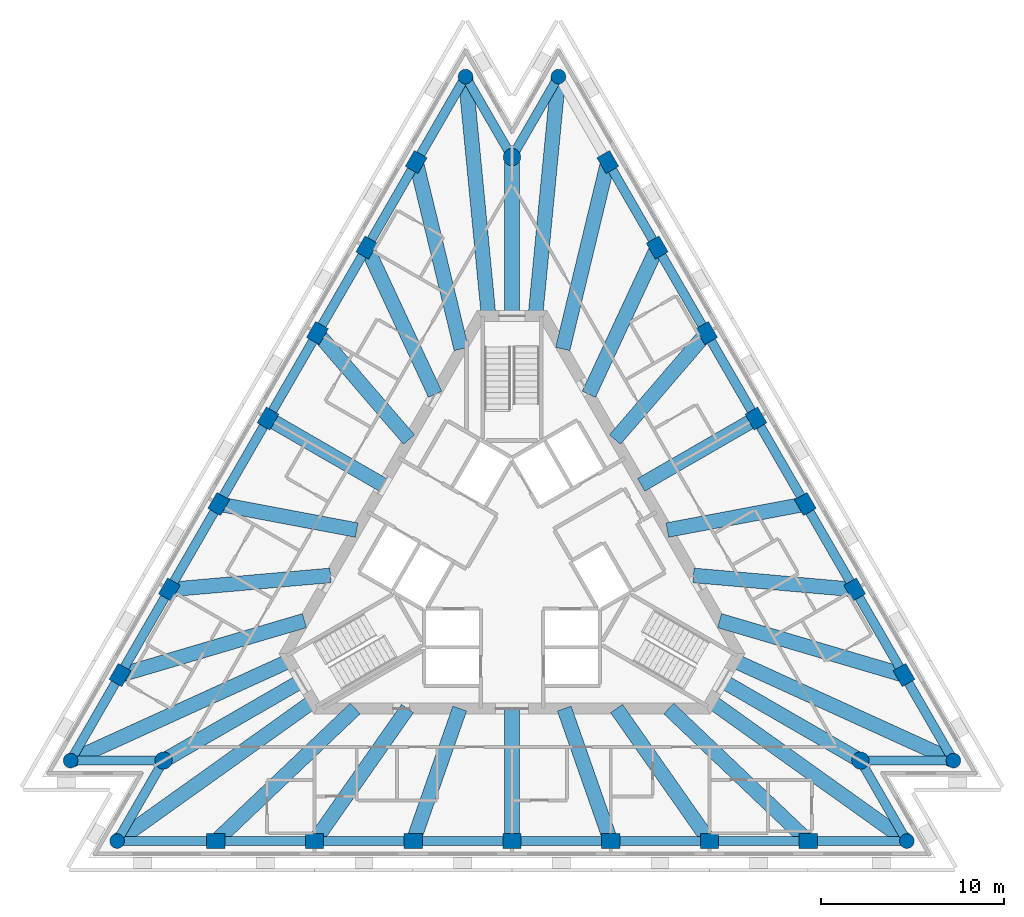
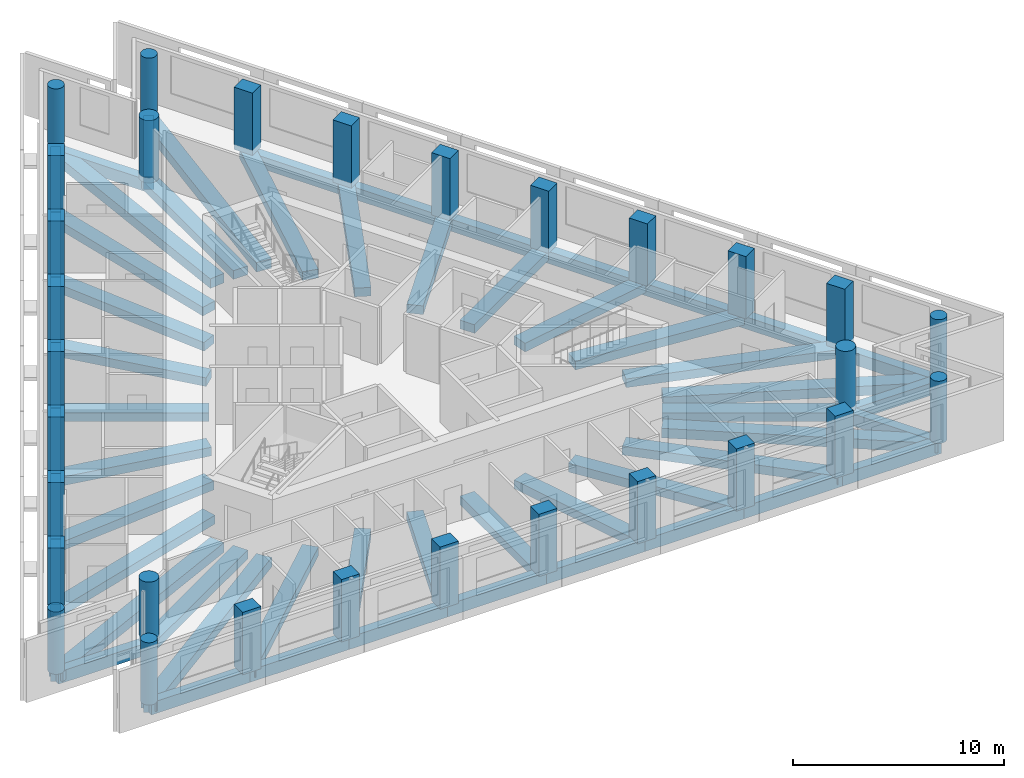
# One storey, part 1 of 10: 59 beams, 30 columns.
"""IFC4 building model written with IfcOpenShell, lengths in metres."""

from ifc_helpers import new_model, si_unit, direction, frame, origin, origin_2d, place, context, subcontext, project, spatial, rectangle, circle, extrude, material, material_profile, profile_set, type_object, element, save


model = new_model("IFC4")

# Units and contexts
model_context = context("Model", 3, precision=1e-05, world=origin(), true_north=direction((0.0, 1.0)))
body_context = subcontext(model_context, "Body", "Model", "MODEL_VIEW")
ifc_project = project(units=[si_unit("LENGTHUNIT", "METRE"), si_unit("AREAUNIT", "SQUARE_METRE"), si_unit("VOLUMEUNIT", "CUBIC_METRE"), si_unit("PLANEANGLEUNIT", "RADIAN"), si_unit("MASSUNIT", "GRAM", prefix="KILO")], contexts=[model_context])

# Site, building, storey
site_placement = place(None, origin())
site = spatial("IfcSite", under=ifc_project, at=site_placement, CompositionType="ELEMENT")
building_placement = place(site_placement, origin())
building = spatial("IfcBuilding", under=site, at=building_placement, Name="Triada Interchange Tower", CompositionType="ELEMENT")
storey_placement = place(building_placement, frame((0.0, 0.0, 289.89990234375)))
storey = spatial("IfcBuildingStorey", under=building, at=storey_placement, Name="L68", CompositionType="ELEMENT", Elevation=289.89990234375)

# Columns
ifc_material_1 = material(Name="Concrete C40/50", Category="concrete")
ifc_material_profile_1 = material_profile(ifc_material_1, rectangle(XDim=1.0, YDim=0.800048828125, at=origin_2d()), Name="RC 1000x800")
ifc_profile_set_1 = profile_set([ifc_material_profile_1], Name="Concrete C40/50")
column_type_1 = type_object("IfcColumnType", Name="Column D face RC 1000x800", PredefinedType="COLUMN", material=ifc_profile_set_1)
for number, where, z_axis, x_axis, name in (
    (1, (-5.236083984375, 21.7099609375, -0.2998046875), (0.0, 0.0, 1.0), (0.5, 0.866025403784, 0.0), "Column CD02 L68"),
    (2, (-7.93408203125, 17.0380859375, -0.2998046875), (0.0, 0.0, 1.0), (0.5, 0.866025403784, 0.0), "Column CD03 L68"),
    (3, (-10.631103515625, 12.366943359375, -0.2998046875), (0.0, 0.0, 1.0), (0.5, 0.866025403784, 0.0), "Column CD04 L68"),
    (4, (-13.327880859375, 7.695068359375, -0.2998046875), (0.0, 0.0, 1.0), (0.5, 0.866025403784, 0.0), "Column CD05 L68"),
    (5, (-16.02490234375, 3.02294921875, -0.2998046875), (0.0, 0.0, 1.0), (0.5, 0.866025403784, 0.0), "Column CD06 L68"),
    (6, (-18.721923828125, -1.64892578125, -0.2998046875), (0.0, 0.0, 1.0), (0.5, 0.866025403784, 0.0), "Column CD07 L68"),
    (7, (-21.419921875, -6.320068359375, -0.2998046875), (0.0, 0.0, 1.0), (0.5, 0.866025403784, 0.0), "Column CD08 L68"),
    (8, (-16.18310546875, -15.389892578125, -0.2998046875), (0.0, 0.0, 1.0), (1.0, 0.0, 0.0), "Column CD11 L68"),
    (9, (-10.7880859375, -15.389892578125, -0.2998046875), (0.0, 0.0, 1.0), (1.0, 0.0, 0.0), "Column CD12 L68"),
    (10, (-5.39404296875, -15.389892578125, -0.2998046875), (0.0, 0.0, 1.0), (1.0, 0.0, 0.0), "Column CD13 L68"),
    (11, (0.0, -15.389892578125, -0.2998046875), (0.0, 0.0, 1.0), (1.0, 0.0, 0.0), "Column CD14 L68"),
    (12, (5.39404296875, -15.389892578125, -0.2998046875), (0.0, 0.0, 1.0), (1.0, 0.0, 0.0), "Column CD15 L68"),
    (13, (10.7890625, -15.389892578125, -0.2998046875), (0.0, 0.0, 1.0), (1.0, 0.0, 0.0), "Column CD16 L68"),
    (14, (16.18310546875, -15.389892578125, -0.2998046875), (0.0, 0.0, 1.0), (1.0, 0.0, 0.0), "Column CD17 L68"),
    (15, (21.419921875, -6.320068359375, -0.2998046875), (0.0, 0.0, 1.0), (-0.5, 0.866025403784, 0.0), "Column CD20 L68"),
    (16, (18.721923828125, -1.64892578125, -0.2998046875), (0.0, 0.0, 1.0), (-0.5, 0.866025403784, 0.0), "Column CD21 L68"),
    (17, (16.02490234375, 3.02294921875, -0.2998046875), (0.0, 0.0, 1.0), (-0.5, 0.866025403784, 0.0), "Column CD22 L68"),
    (18, (13.327880859375, 7.695068359375, -0.2998046875), (0.0, 0.0, 1.0), (-0.5, 0.866025403784, 0.0), "Column CD23 L68"),
    (19, (10.631103515625, 12.366943359375, -0.2998046875), (0.0, 0.0, 1.0), (-0.5, 0.866025403784, 0.0), "Column CD24 L68"),
    (20, (7.93408203125, 17.0390625, -0.2998046875), (0.0, 0.0, 1.0), (-0.5, 0.866025403784, 0.0), "Column CD25 L68"),
    (21, (5.236083984375, 21.7099609375, -0.2998046875), (0.0, 0.0, 1.0), (-0.5, 0.866025403784, 0.0), "Column CD26 L68"),
):
    element("IfcColumn", number, at=place(storey_placement, frame(where, z_axis=z_axis, x_axis=x_axis)), inside=storey, type_object=column_type_1, Name=name, PredefinedType="COLUMN", context=body_context, shape_type="SweptSolid", body=[
        extrude(rectangle(XDim=1.0, YDim=0.800048828125, at=origin_2d()), origin(), (0.0, 0.0, 1.0), 3.599853515625),
    ])
ifc_material_profile_2 = material_profile(ifc_material_1, circle(Radius=0.39990234375, at=origin_2d()), Name="RC D800")
ifc_profile_set_2 = profile_set([ifc_material_profile_2], Name="Concrete C40/50")
column_type_2 = type_object("IfcColumnType", Name="End column D RC D800", PredefinedType="COLUMN", material=ifc_profile_set_2)
for number, where, z_axis, x_axis, name in (
    (22, (-2.5390625, 26.382080078125, -0.2998046875), (0.0, 0.0, 1.0), (0.5, 0.866025403784, 0.0), "Column CD01 L68"),
    (23, (-24.116943359375, -10.991943359375, -0.2998046875), (0.0, 0.0, 1.0), (0.5, 0.866025403784, 0.0), "Column CD09 L68"),
    (24, (-21.576904296875, -15.389892578125, -0.2998046875), (0.0, 0.0, 1.0), (1.0, 0.0, 0.0), "Column CD10 L68"),
    (25, (21.576904296875, -15.389892578125, -0.2998046875), (0.0, 0.0, 1.0), (1.0, 0.0, 0.0), "Column CD18 L68"),
    (26, (24.116943359375, -10.991943359375, -0.2998046875), (0.0, 0.0, 1.0), (-0.5, 0.866025403784, 0.0), "Column CD19 L68"),
    (27, (2.5390625, 26.382080078125, -0.2998046875), (0.0, 0.0, 1.0), (-0.5, 0.866025403784, 0.0), "Column CD27 L68"),
):
    element("IfcColumn", number, at=place(storey_placement, frame(where, z_axis=z_axis, x_axis=x_axis)), inside=storey, type_object=column_type_2, Name=name, PredefinedType="COLUMN", context=body_context, shape_type="SweptSolid", body=[
        extrude(circle(Radius=0.39990234375, at=origin_2d()), origin(), (0.0, 0.0, 1.0), 3.599853515625),
    ])
ifc_material_profile_3 = material_profile(ifc_material_1, circle(Radius=0.47509765625, at=origin_2d()), Name="RC D950")
ifc_profile_set_3 = profile_set([ifc_material_profile_3], Name="Concrete C40/50")
column_type_3 = type_object("IfcColumnType", Name="Mega column D RC D950", PredefinedType="COLUMN", material=ifc_profile_set_3)
for number, where, z_axis, x_axis, name in (
    (28, (0.0, 21.98291015625, -0.2998046875), (0.0, 0.0, 1.0), (1.0, 0.0, 0.0), "Column MD1 L68"),
    (29, (-19.0380859375, -10.991943359375, -0.2998046875), (0.0, 0.0, 1.0), (1.0, 0.0, 0.0), "Column MD2 L68"),
    (30, (19.0380859375, -10.991943359375, -0.2998046875), (0.0, 0.0, 1.0), (1.0, 0.0, 0.0), "Column MD3 L68"),
):
    element("IfcColumn", number, at=place(storey_placement, frame(where, z_axis=z_axis, x_axis=x_axis)), inside=storey, type_object=column_type_3, Name=name, PredefinedType="COLUMN", context=body_context, shape_type="SweptSolid", body=[
        extrude(circle(Radius=0.47509765625, at=origin_2d()), origin(), (0.0, 0.0, 1.0), 3.599853515625),
    ])

# Beams
ifc_material_2 = material(Name="Concrete C50/60", Category="concrete")
ifc_material_profile_4 = material_profile(ifc_material_2, rectangle(XDim=0.800048828125, YDim=0.5, at=origin_2d()), Name="RC 800x500")
ifc_profile_set_4 = profile_set([ifc_material_profile_4], Name="Concrete C50/60")
beam_type_1 = type_object("IfcBeamType", Name="Radial band beam D RC 800x500", PredefinedType="BEAM", material=ifc_profile_set_4)
beam_1_placement = place(storey_placement, frame((-5.236083984375, 21.7099609375, -0.5498046875), z_axis=(0.234456524391, -0.97212660604, 0.0), x_axis=(0.97212660604, 0.234456524391, 0.0)))
element("IfcBeam", 31, at=beam_1_placement, inside=storey, type_object=beam_type_1, Name="Radial band beam BD02 L68", PredefinedType="BEAM", context=body_context, shape_type="SweptSolid", body=[
    extrude(rectangle(XDim=0.800048828125, YDim=0.5, at=origin_2d()), origin(), (0.0, 0.0, 1.0), 10.505615234375),
])
beam_2_placement = place(storey_placement, frame((-7.93408203125, 17.0380859375, -0.5498046875), z_axis=(0.422121923077, -0.906539068137, 0.0), x_axis=(0.906539068137, 0.422121923077, 0.0)))
element("IfcBeam", 32, at=beam_2_placement, inside=storey, type_object=beam_type_1, Name="Radial band beam BD03 L68", PredefinedType="BEAM", context=body_context, shape_type="SweptSolid", body=[
    extrude(rectangle(XDim=0.800048828125, YDim=0.5, at=origin_2d()), origin(), (0.0, 0.0, 1.0), 8.841552734375),
])
beam_3_placement = place(storey_placement, frame((-10.631103515625, 12.366943359375, -0.5498046875), z_axis=(0.651878277137, -0.758323619437, 0.0), x_axis=(0.758323619437, 0.651878277137, 0.0)))
element("IfcBeam", 33, at=beam_3_placement, inside=storey, type_object=beam_type_1, Name="Radial band beam BD04 L68", PredefinedType="BEAM", context=body_context, shape_type="SweptSolid", body=[
    extrude(rectangle(XDim=0.800048828125, YDim=0.5, at=origin_2d()), origin(), (0.0, 0.0, 1.0), 7.672119140625),
])
beam_4_placement = place(storey_placement, frame((-13.327880859375, 7.695068359375, -0.5498046875), z_axis=(0.866009812298, -0.500027004274, 0.0), x_axis=(0.500027004274, 0.866009812298, 0.0)))
element("IfcBeam", 34, at=beam_4_placement, inside=storey, type_object=beam_type_1, Name="Radial band beam BD05 L68", PredefinedType="BEAM", context=body_context, shape_type="SweptSolid", body=[
    extrude(rectangle(XDim=0.800048828125, YDim=0.5, at=origin_2d()), origin(), (0.0, 0.0, 1.0), 7.23974609375),
])
beam_5_placement = place(storey_placement, frame((-16.02490234375, 3.02294921875, -0.5498046875), z_axis=(0.982674560134, -0.185339442282, 0.0), x_axis=(0.185339442282, 0.982674560134, 0.0)))
element("IfcBeam", 35, at=beam_5_placement, inside=storey, type_object=beam_type_1, Name="Radial band beam BD06 L68", PredefinedType="BEAM", context=body_context, shape_type="SweptSolid", body=[
    extrude(rectangle(XDim=0.800048828125, YDim=0.5, at=origin_2d()), origin(), (0.0, 0.0, 1.0), 7.671630859375),
])
beam_6_placement = place(storey_placement, frame((-18.721923828125, -1.64892578125, -0.5498046875), z_axis=(0.996141716399, 0.087759220878, 0.0), x_axis=(-0.087759220878, 0.996141716399, 0.0)))
element("IfcBeam", 36, at=beam_6_placement, inside=storey, type_object=beam_type_1, Name="Radial band beam BD07 L68", PredefinedType="BEAM", context=body_context, shape_type="SweptSolid", body=[
    extrude(rectangle(XDim=0.800048828125, YDim=0.5, at=origin_2d()), origin(), (0.0, 0.0, 1.0), 8.841064453125),
])
beam_7_placement = place(storey_placement, frame((-21.419921875, -6.320068359375, -0.5498046875), z_axis=(0.95912426732, 0.282985229011, 0.0), x_axis=(-0.282985229011, 0.95912426732, 0.0)))
element("IfcBeam", 37, at=beam_7_placement, inside=storey, type_object=beam_type_1, Name="Radial band beam BD08 L68", PredefinedType="BEAM", context=body_context, shape_type="SweptSolid", body=[
    extrude(rectangle(XDim=0.800048828125, YDim=0.5, at=origin_2d()), origin(), (0.0, 0.0, 1.0), 10.50634765625),
])
beam_8_placement = place(storey_placement, frame((-19.0380859375, -10.991943359375, -0.5498046875), z_axis=(0.866007665204, 0.500030722864, 0.0), x_axis=(-0.500030722864, 0.866007665204, 0.0)))
element("IfcBeam", 38, at=beam_8_placement, inside=storey, type_object=beam_type_1, Name="Radial band beam BD10 L68", PredefinedType="BEAM", context=body_context, shape_type="SweptSolid", body=[
    extrude(rectangle(XDim=0.800048828125, YDim=0.5, at=origin_2d()), origin(), (0.0, 0.0, 1.0), 8.68359375),
])
beam_9_placement = place(storey_placement, frame((-16.18310546875, -15.389892578125, -0.5498046875), z_axis=(0.724637873853, 0.689129851173, 0.0), x_axis=(-0.689129851173, 0.724637873853, 0.0)))
element("IfcBeam", 39, at=beam_9_placement, inside=storey, type_object=beam_type_1, Name="Radial band beam BD12 L68", PredefinedType="BEAM", context=body_context, shape_type="SweptSolid", body=[
    extrude(rectangle(XDim=0.800048828125, YDim=0.5, at=origin_2d()), origin(), (0.0, 0.0, 1.0), 10.506103515625),
])
beam_10_placement = place(storey_placement, frame((-10.7880859375, -15.389892578125, -0.5498046875), z_axis=(0.574008907358, 0.818849054633, 0.0), x_axis=(-0.818849054633, 0.574008907358, 0.0)))
element("IfcBeam", 40, at=beam_10_placement, inside=storey, type_object=beam_type_1, Name="Radial band beam BD13 L68", PredefinedType="BEAM", context=body_context, shape_type="SweptSolid", body=[
    extrude(rectangle(XDim=0.800048828125, YDim=0.5, at=origin_2d()), origin(), (0.0, 0.0, 1.0), 8.841552734375),
])
beam_11_placement = place(storey_placement, frame((-5.39404296875, -15.389892578125, -0.5498046875), z_axis=(0.330825237712, 0.94369203774, 0.0), x_axis=(-0.94369203774, 0.330825237712, 0.0)))
element("IfcBeam", 41, at=beam_11_placement, inside=storey, type_object=beam_type_1, Name="Radial band beam BD14 L68", PredefinedType="BEAM", context=body_context, shape_type="SweptSolid", body=[
    extrude(rectangle(XDim=0.800048828125, YDim=0.5, at=origin_2d()), origin(), (0.0, 0.0, 1.0), 7.671875),
])
beam_12_placement = place(storey_placement, frame((0.0, -15.389892578125, -0.5498046875), z_axis=(0.0, 1.0, 0.0), x_axis=(-1.0, 0.0, 0.0)))
element("IfcBeam", 42, at=beam_12_placement, inside=storey, type_object=beam_type_1, Name="Radial band beam BD15 L68", PredefinedType="BEAM", context=body_context, shape_type="SweptSolid", body=[
    extrude(rectangle(XDim=0.800048828125, YDim=0.5, at=origin_2d()), origin(), (0.0, 0.0, 1.0), 7.239990234375),
])
beam_13_placement = place(storey_placement, frame((5.39404296875, -15.389892578125, -0.5498046875), z_axis=(-0.330825237712, 0.94369203774, 0.0), x_axis=(-0.94369203774, -0.330825237712, 0.0)))
element("IfcBeam", 43, at=beam_13_placement, inside=storey, type_object=beam_type_1, Name="Radial band beam BD16 L68", PredefinedType="BEAM", context=body_context, shape_type="SweptSolid", body=[
    extrude(rectangle(XDim=0.800048828125, YDim=0.5, at=origin_2d()), origin(), (0.0, 0.0, 1.0), 7.671875),
])
beam_14_placement = place(storey_placement, frame((10.7890625, -15.389892578125, -0.5498046875), z_axis=(-0.574082958595, 0.818797140109, 0.0), x_axis=(-0.818797140109, -0.574082958595, 0.0)))
element("IfcBeam", 44, at=beam_14_placement, inside=storey, type_object=beam_type_1, Name="Radial band beam BD17 L68", PredefinedType="BEAM", context=body_context, shape_type="SweptSolid", body=[
    extrude(rectangle(XDim=0.800048828125, YDim=0.5, at=origin_2d()), origin(), (0.0, 0.0, 1.0), 8.84228515625),
])
beam_15_placement = place(storey_placement, frame((16.18310546875, -15.389892578125, -0.5498046875), z_axis=(-0.724637873853, 0.689129851173, 0.0), x_axis=(-0.689129851173, -0.724637873853, 0.0)))
element("IfcBeam", 45, at=beam_15_placement, inside=storey, type_object=beam_type_1, Name="Radial band beam BD18 L68", PredefinedType="BEAM", context=body_context, shape_type="SweptSolid", body=[
    extrude(rectangle(XDim=0.800048828125, YDim=0.5, at=origin_2d()), origin(), (0.0, 0.0, 1.0), 10.506103515625),
])
beam_16_placement = place(storey_placement, frame((19.0380859375, -10.991943359375, -0.5498046875), z_axis=(-0.866007665204, 0.500030722864, 0.0), x_axis=(-0.500030722864, -0.866007665204, 0.0)))
element("IfcBeam", 46, at=beam_16_placement, inside=storey, type_object=beam_type_1, Name="Radial band beam BD20 L68", PredefinedType="BEAM", context=body_context, shape_type="SweptSolid", body=[
    extrude(rectangle(XDim=0.800048828125, YDim=0.5, at=origin_2d()), origin(), (0.0, 0.0, 1.0), 8.68359375),
])
beam_17_placement = place(storey_placement, frame((21.419921875, -6.320068359375, -0.5498046875), z_axis=(-0.95912426732, 0.282985229011, 0.0), x_axis=(-0.282985229011, -0.95912426732, 0.0)))
element("IfcBeam", 47, at=beam_17_placement, inside=storey, type_object=beam_type_1, Name="Radial band beam BD22 L68", PredefinedType="BEAM", context=body_context, shape_type="SweptSolid", body=[
    extrude(rectangle(XDim=0.800048828125, YDim=0.5, at=origin_2d()), origin(), (0.0, 0.0, 1.0), 10.50634765625),
])
beam_18_placement = place(storey_placement, frame((18.721923828125, -1.64892578125, -0.5498046875), z_axis=(-0.996141716399, 0.087759220878, 0.0), x_axis=(-0.087759220878, -0.996141716399, 0.0)))
element("IfcBeam", 48, at=beam_18_placement, inside=storey, type_object=beam_type_1, Name="Radial band beam BD23 L68", PredefinedType="BEAM", context=body_context, shape_type="SweptSolid", body=[
    extrude(rectangle(XDim=0.800048828125, YDim=0.5, at=origin_2d()), origin(), (0.0, 0.0, 1.0), 8.841064453125),
])
beam_19_placement = place(storey_placement, frame((16.02490234375, 3.02294921875, -0.5498046875), z_axis=(-0.982674560134, -0.185339442282, 0.0), x_axis=(0.185339442282, -0.982674560134, 0.0)))
element("IfcBeam", 49, at=beam_19_placement, inside=storey, type_object=beam_type_1, Name="Radial band beam BD24 L68", PredefinedType="BEAM", context=body_context, shape_type="SweptSolid", body=[
    extrude(rectangle(XDim=0.800048828125, YDim=0.5, at=origin_2d()), origin(), (0.0, 0.0, 1.0), 7.671630859375),
])
beam_20_placement = place(storey_placement, frame((13.327880859375, 7.695068359375, -0.5498046875), z_axis=(-0.866009812298, -0.500027004274, 0.0), x_axis=(0.500027004274, -0.866009812298, 0.0)))
element("IfcBeam", 50, at=beam_20_placement, inside=storey, type_object=beam_type_1, Name="Radial band beam BD25 L68", PredefinedType="BEAM", context=body_context, shape_type="SweptSolid", body=[
    extrude(rectangle(XDim=0.800048828125, YDim=0.5, at=origin_2d()), origin(), (0.0, 0.0, 1.0), 7.23974609375),
])
beam_21_placement = place(storey_placement, frame((10.631103515625, 12.366943359375, -0.5498046875), z_axis=(-0.651878277137, -0.758323619437, 0.0), x_axis=(0.758323619437, -0.651878277137, 0.0)))
element("IfcBeam", 51, at=beam_21_placement, inside=storey, type_object=beam_type_1, Name="Radial band beam BD26 L68", PredefinedType="BEAM", context=body_context, shape_type="SweptSolid", body=[
    extrude(rectangle(XDim=0.800048828125, YDim=0.5, at=origin_2d()), origin(), (0.0, 0.0, 1.0), 7.672119140625),
])
beam_22_placement = place(storey_placement, frame((7.93408203125, 17.0390625, -0.5498046875), z_axis=(-0.422170419814, -0.90651648448, 0.0), x_axis=(0.90651648448, -0.422170419814, 0.0)))
element("IfcBeam", 52, at=beam_22_placement, inside=storey, type_object=beam_type_1, Name="Radial band beam BD27 L68", PredefinedType="BEAM", context=body_context, shape_type="SweptSolid", body=[
    extrude(rectangle(XDim=0.800048828125, YDim=0.5, at=origin_2d()), origin(), (0.0, 0.0, 1.0), 8.8427734375),
])
beam_23_placement = place(storey_placement, frame((5.236083984375, 21.7099609375, -0.5498046875), z_axis=(-0.234456524391, -0.97212660604, 0.0), x_axis=(0.97212660604, -0.234456524391, 0.0)))
element("IfcBeam", 53, at=beam_23_placement, inside=storey, type_object=beam_type_1, Name="Radial band beam BD28 L68", PredefinedType="BEAM", context=body_context, shape_type="SweptSolid", body=[
    extrude(rectangle(XDim=0.800048828125, YDim=0.5, at=origin_2d()), origin(), (0.0, 0.0, 1.0), 10.505615234375),
])
beam_24_placement = place(storey_placement, frame((0.0, 21.98291015625, -0.5498046875), z_axis=(0.0, -1.0, 0.0), x_axis=(1.0, 0.0, 0.0)))
element("IfcBeam", 54, at=beam_24_placement, inside=storey, type_object=beam_type_1, Name="Radial band beam BD30 L68", PredefinedType="BEAM", context=body_context, shape_type="SweptSolid", body=[
    extrude(rectangle(XDim=0.800048828125, YDim=0.5, at=origin_2d()), origin(), (0.0, 0.0, 1.0), 8.682861328125),
])
ifc_material_profile_5 = material_profile(ifc_material_2, rectangle(XDim=0.800048828125, YDim=0.550048828125, at=origin_2d()), Name="RC 800x550")
ifc_profile_set_5 = profile_set([ifc_material_profile_5], Name="Concrete C50/60")
beam_type_2 = type_object("IfcBeamType", Name="Radial band beam D RC 800x550", PredefinedType="BEAM", material=ifc_profile_set_5)
for number, where, z_axis, x_axis, name in (
    (55, (-2.5390625, 26.382080078125, -0.574951171875), (0.095798774203, -0.995400720746, 0.0), (0.995400720746, 0.095798774203, 0.0), "Radial band beam BD01 L68"),
    (56, (-24.116943359375, -10.991943359375, -0.574951171875), (0.909935297059, 0.414750232268, 0.0), (-0.414750232268, 0.909935297059, 0.0), "Radial band beam BD09 L68"),
):
    element("IfcBeam", number, at=place(storey_placement, frame(where, z_axis=z_axis, x_axis=x_axis)), inside=storey, type_object=beam_type_2, Name=name, PredefinedType="BEAM", context=body_context, shape_type="SweptSolid", body=[
        extrude(rectangle(XDim=0.800048828125, YDim=0.550048828125, at=origin_2d()), origin(), (0.0, 0.0, 1.0), 13.142578125),
    ])
for number, where, z_axis, x_axis, name in (
    (57, (-21.576904296875, -15.389892578125, -0.574951171875), (0.81413872305, 0.580670422555, 0.0), (-0.580670422555, 0.81413872305, 0.0), "Radial band beam BD11 L68"),
    (58, (21.576904296875, -15.389892578125, -0.574951171875), (-0.81413872305, 0.580670422555, 0.0), (-0.580670422555, -0.81413872305, 0.0), "Radial band beam BD19 L68"),
):
    element("IfcBeam", number, at=place(storey_placement, frame(where, z_axis=z_axis, x_axis=x_axis)), inside=storey, type_object=beam_type_2, Name=name, PredefinedType="BEAM", context=body_context, shape_type="SweptSolid", body=[
        extrude(rectangle(XDim=0.800048828125, YDim=0.550048828125, at=origin_2d()), origin(), (0.0, 0.0, 1.0), 13.141357421875),
    ])
for number, where, z_axis, x_axis, name in (
    (59, (24.116943359375, -10.991943359375, -0.574951171875), (-0.909935297059, 0.414750232268, 0.0), (-0.414750232268, -0.909935297059, 0.0), "Radial band beam BD21 L68"),
    (60, (2.5390625, 26.382080078125, -0.574951171875), (-0.095798774203, -0.995400720746, 0.0), (0.995400720746, -0.095798774203, 0.0), "Radial band beam BD29 L68"),
):
    element("IfcBeam", number, at=place(storey_placement, frame(where, z_axis=z_axis, x_axis=x_axis)), inside=storey, type_object=beam_type_2, Name=name, PredefinedType="BEAM", context=body_context, shape_type="SweptSolid", body=[
        extrude(rectangle(XDim=0.800048828125, YDim=0.550048828125, at=origin_2d()), origin(), (0.0, 0.0, 1.0), 13.142578125),
    ])
ifc_material_profile_6 = material_profile(ifc_material_2, rectangle(XDim=0.5, YDim=0.699951171875, at=origin_2d()), Name="RC 500x700")
ifc_profile_set_6 = profile_set([ifc_material_profile_6], Name="Concrete C50/60")
beam_type_3 = type_object("IfcBeamType", Name="Spandrel beam D RC 500x700", PredefinedType="BEAM", material=ifc_profile_set_6)
beam_25_placement = place(storey_placement, frame((-2.5390625, 26.382080078125, -0.64990234375), z_axis=(-0.49994052929, -0.866059736492, 0.0), x_axis=(0.866059736492, -0.49994052929, 0.0)))
element("IfcBeam", 61, at=beam_25_placement, inside=storey, type_object=beam_type_3, Name="Spandrel beam ED01 L68", PredefinedType="BEAM", context=body_context, shape_type="SweptSolid", body=[
    extrude(rectangle(XDim=0.5, YDim=0.699951171875, at=origin_2d()), origin(), (0.0, 0.0, 1.0), 5.394775390625),
])
beam_26_placement = place(storey_placement, frame((-5.236083984375, 21.7099609375, -0.64990234375), z_axis=(-0.500095886128, -0.865970036824, 0.0), x_axis=(0.865970036824, -0.500095886128, 0.0)))
element("IfcBeam", 62, at=beam_26_placement, inside=storey, type_object=beam_type_3, Name="Spandrel beam ED02 L68", PredefinedType="BEAM", context=body_context, shape_type="SweptSolid", body=[
    extrude(rectangle(XDim=0.5, YDim=0.699951171875, at=origin_2d()), origin(), (0.0, 0.0, 1.0), 5.39501953125),
])
beam_27_placement = place(storey_placement, frame((-7.93408203125, 17.0380859375, -0.64990234375), z_axis=(-0.500018918615, -0.866014480842, 0.0), x_axis=(0.866014480842, -0.500018918615, 0.0)))
element("IfcBeam", 63, at=beam_27_placement, inside=storey, type_object=beam_type_3, Name="Spandrel beam ED03 L68", PredefinedType="BEAM", context=body_context, shape_type="SweptSolid", body=[
    extrude(rectangle(XDim=0.5, YDim=0.699951171875, at=origin_2d()), origin(), (0.0, 0.0, 1.0), 5.393798828125),
])
beam_28_placement = place(storey_placement, frame((-10.631103515625, 12.366943359375, -0.64990234375), z_axis=(-0.499926178584, -0.866068020404, 0.0), x_axis=(0.866068020404, -0.499926178584, 0.0)))
element("IfcBeam", 64, at=beam_28_placement, inside=storey, type_object=beam_type_3, Name="Spandrel beam ED04 L68", PredefinedType="BEAM", context=body_context, shape_type="SweptSolid", body=[
    extrude(rectangle(XDim=0.5, YDim=0.699951171875, at=origin_2d()), origin(), (0.0, 0.0, 1.0), 5.394287109375),
])
beam_29_placement = place(storey_placement, frame((-13.327880859375, 7.695068359375, -0.64990234375), z_axis=(-0.49994052929, -0.866059736492, 0.0), x_axis=(0.866059736492, -0.49994052929, 0.0)))
element("IfcBeam", 65, at=beam_29_placement, inside=storey, type_object=beam_type_3, Name="Spandrel beam ED05 L68", PredefinedType="BEAM", context=body_context, shape_type="SweptSolid", body=[
    extrude(rectangle(XDim=0.5, YDim=0.699951171875, at=origin_2d()), origin(), (0.0, 0.0, 1.0), 5.394775390625),
])
beam_30_placement = place(storey_placement, frame((-16.02490234375, 3.02294921875, -0.64990234375), z_axis=(-0.499960124701, -0.866048424575, 0.0), x_axis=(0.866048424575, -0.499960124701, 0.0)))
element("IfcBeam", 66, at=beam_30_placement, inside=storey, type_object=beam_type_3, Name="Spandrel beam ED06 L68", PredefinedType="BEAM", context=body_context, shape_type="SweptSolid", body=[
    extrude(rectangle(XDim=0.5, YDim=0.699951171875, at=origin_2d()), origin(), (0.0, 0.0, 1.0), 5.39453125),
])
beam_31_placement = place(storey_placement, frame((-18.721923828125, -1.64892578125, -0.64990234375), z_axis=(-0.50015468536, -0.865936077729, 0.0), x_axis=(0.865936077729, -0.50015468536, 0.0)))
element("IfcBeam", 67, at=beam_31_placement, inside=storey, type_object=beam_type_3, Name="Spandrel beam ED07 L68", PredefinedType="BEAM", context=body_context, shape_type="SweptSolid", body=[
    extrude(rectangle(XDim=0.5, YDim=0.699951171875, at=origin_2d()), origin(), (0.0, 0.0, 1.0), 5.394287109375),
])
beam_32_placement = place(storey_placement, frame((-21.419921875, -6.320068359375, -0.64990234375), z_axis=(-0.499960124701, -0.866048424575, 0.0), x_axis=(0.866048424575, -0.499960124701, 0.0)))
element("IfcBeam", 68, at=beam_32_placement, inside=storey, type_object=beam_type_3, Name="Spandrel beam ED08 L68", PredefinedType="BEAM", context=body_context, shape_type="SweptSolid", body=[
    extrude(rectangle(XDim=0.5, YDim=0.699951171875, at=origin_2d()), origin(), (0.0, 0.0, 1.0), 5.39453125),
])
beam_33_placement = place(storey_placement, frame((-24.116943359375, -10.991943359375, -0.64990234375), z_axis=(1.0, 0.0, 0.0), x_axis=(0.0, 1.0, 0.0)))
element("IfcBeam", 69, at=beam_33_placement, inside=storey, type_object=beam_type_3, Name="Spandrel beam ED09 L68", PredefinedType="BEAM", context=body_context, shape_type="SweptSolid", body=[
    extrude(rectangle(XDim=0.5, YDim=0.699951171875, at=origin_2d()), origin(), (0.0, 0.0, 1.0), 5.078857421875),
])
beam_34_placement = place(storey_placement, frame((-19.0380859375, -10.991943359375, -0.64990234375), z_axis=(-0.499949960329, -0.866054292275, 0.0), x_axis=(0.866054292275, -0.499949960329, 0.0)))
element("IfcBeam", 70, at=beam_34_placement, inside=storey, type_object=beam_type_3, Name="Spandrel beam ED10 L68", PredefinedType="BEAM", context=body_context, shape_type="SweptSolid", body=[
    extrude(rectangle(XDim=0.5, YDim=0.699951171875, at=origin_2d()), origin(), (0.0, 0.0, 1.0), 5.078125),
])
beam_35_placement = place(storey_placement, frame((-21.576904296875, -15.389892578125, -0.64990234375), z_axis=(1.0, 0.0, 0.0), x_axis=(0.0, 1.0, 0.0)))
element("IfcBeam", 71, at=beam_35_placement, inside=storey, type_object=beam_type_3, Name="Spandrel beam ED11 L68", PredefinedType="BEAM", context=body_context, shape_type="SweptSolid", body=[
    extrude(rectangle(XDim=0.5, YDim=0.699951171875, at=origin_2d()), origin(), (0.0, 0.0, 1.0), 5.393798828125),
])
beam_36_placement = place(storey_placement, frame((-16.18310546875, -15.389892578125, -0.64990234375), z_axis=(1.0, 0.0, 0.0), x_axis=(0.0, 1.0, 0.0)))
element("IfcBeam", 72, at=beam_36_placement, inside=storey, type_object=beam_type_3, Name="Spandrel beam ED12 L68", PredefinedType="BEAM", context=body_context, shape_type="SweptSolid", body=[
    extrude(rectangle(XDim=0.5, YDim=0.699951171875, at=origin_2d()), origin(), (0.0, 0.0, 1.0), 5.39501953125),
])
for number, where, z_axis, x_axis, name in (
    (73, (-10.7880859375, -15.389892578125, -0.64990234375), (1.0, 0.0, 0.0), (0.0, 1.0, 0.0), "Spandrel beam ED13 L68"),
    (74, (-5.39404296875, -15.389892578125, -0.64990234375), (1.0, 0.0, 0.0), (0.0, 1.0, 0.0), "Spandrel beam ED14 L68"),
    (75, (0.0, -15.389892578125, -0.64990234375), (1.0, 0.0, 0.0), (0.0, 1.0, 0.0), "Spandrel beam ED15 L68"),
):
    element("IfcBeam", number, at=place(storey_placement, frame(where, z_axis=z_axis, x_axis=x_axis)), inside=storey, type_object=beam_type_3, Name=name, PredefinedType="BEAM", context=body_context, shape_type="SweptSolid", body=[
        extrude(rectangle(XDim=0.5, YDim=0.699951171875, at=origin_2d()), origin(), (0.0, 0.0, 1.0), 5.39404296875),
    ])
beam_37_placement = place(storey_placement, frame((5.39404296875, -15.389892578125, -0.64990234375), z_axis=(1.0, 0.0, 0.0), x_axis=(0.0, 1.0, 0.0)))
element("IfcBeam", 76, at=beam_37_placement, inside=storey, type_object=beam_type_3, Name="Spandrel beam ED16 L68", PredefinedType="BEAM", context=body_context, shape_type="SweptSolid", body=[
    extrude(rectangle(XDim=0.5, YDim=0.699951171875, at=origin_2d()), origin(), (0.0, 0.0, 1.0), 5.39501953125),
])
beam_38_placement = place(storey_placement, frame((10.7890625, -15.389892578125, -0.64990234375), z_axis=(1.0, 0.0, 0.0), x_axis=(0.0, 1.0, 0.0)))
element("IfcBeam", 77, at=beam_38_placement, inside=storey, type_object=beam_type_3, Name="Spandrel beam ED17 L68", PredefinedType="BEAM", context=body_context, shape_type="SweptSolid", body=[
    extrude(rectangle(XDim=0.5, YDim=0.699951171875, at=origin_2d()), origin(), (0.0, 0.0, 1.0), 5.39404296875),
])
beam_39_placement = place(storey_placement, frame((16.18310546875, -15.389892578125, -0.64990234375), z_axis=(1.0, 0.0, 0.0), x_axis=(0.0, 1.0, 0.0)))
element("IfcBeam", 78, at=beam_39_placement, inside=storey, type_object=beam_type_3, Name="Spandrel beam ED18 L68", PredefinedType="BEAM", context=body_context, shape_type="SweptSolid", body=[
    extrude(rectangle(XDim=0.5, YDim=0.699951171875, at=origin_2d()), origin(), (0.0, 0.0, 1.0), 5.393798828125),
])
beam_40_placement = place(storey_placement, frame((21.576904296875, -15.389892578125, -0.64990234375), z_axis=(-0.499949960329, 0.866054292275, 0.0), x_axis=(-0.866054292275, -0.499949960329, 0.0)))
element("IfcBeam", 79, at=beam_40_placement, inside=storey, type_object=beam_type_3, Name="Spandrel beam ED19 L68", PredefinedType="BEAM", context=body_context, shape_type="SweptSolid", body=[
    extrude(rectangle(XDim=0.5, YDim=0.699951171875, at=origin_2d()), origin(), (0.0, 0.0, 1.0), 5.078125),
])
beam_41_placement = place(storey_placement, frame((19.0380859375, -10.991943359375, -0.64990234375), z_axis=(1.0, 0.0, 0.0), x_axis=(0.0, 1.0, 0.0)))
element("IfcBeam", 80, at=beam_41_placement, inside=storey, type_object=beam_type_3, Name="Spandrel beam ED20 L68", PredefinedType="BEAM", context=body_context, shape_type="SweptSolid", body=[
    extrude(rectangle(XDim=0.5, YDim=0.699951171875, at=origin_2d()), origin(), (0.0, 0.0, 1.0), 5.078857421875),
])
beam_42_placement = place(storey_placement, frame((24.116943359375, -10.991943359375, -0.64990234375), z_axis=(-0.499960124701, 0.866048424575, 0.0), x_axis=(-0.866048424575, -0.499960124701, 0.0)))
element("IfcBeam", 81, at=beam_42_placement, inside=storey, type_object=beam_type_3, Name="Spandrel beam ED21 L68", PredefinedType="BEAM", context=body_context, shape_type="SweptSolid", body=[
    extrude(rectangle(XDim=0.5, YDim=0.699951171875, at=origin_2d()), origin(), (0.0, 0.0, 1.0), 5.39453125),
])
beam_43_placement = place(storey_placement, frame((21.419921875, -6.320068359375, -0.64990234375), z_axis=(-0.50015468536, 0.865936077729, 0.0), x_axis=(-0.865936077729, -0.50015468536, 0.0)))
element("IfcBeam", 82, at=beam_43_placement, inside=storey, type_object=beam_type_3, Name="Spandrel beam ED22 L68", PredefinedType="BEAM", context=body_context, shape_type="SweptSolid", body=[
    extrude(rectangle(XDim=0.5, YDim=0.699951171875, at=origin_2d()), origin(), (0.0, 0.0, 1.0), 5.394287109375),
])
beam_44_placement = place(storey_placement, frame((18.721923828125, -1.64892578125, -0.64990234375), z_axis=(-0.499960124701, 0.866048424575, 0.0), x_axis=(-0.866048424575, -0.499960124701, 0.0)))
element("IfcBeam", 83, at=beam_44_placement, inside=storey, type_object=beam_type_3, Name="Spandrel beam ED23 L68", PredefinedType="BEAM", context=body_context, shape_type="SweptSolid", body=[
    extrude(rectangle(XDim=0.5, YDim=0.699951171875, at=origin_2d()), origin(), (0.0, 0.0, 1.0), 5.39453125),
])
beam_45_placement = place(storey_placement, frame((16.02490234375, 3.02294921875, -0.64990234375), z_axis=(-0.49994052929, 0.866059736492, 0.0), x_axis=(-0.866059736492, -0.49994052929, 0.0)))
element("IfcBeam", 84, at=beam_45_placement, inside=storey, type_object=beam_type_3, Name="Spandrel beam ED24 L68", PredefinedType="BEAM", context=body_context, shape_type="SweptSolid", body=[
    extrude(rectangle(XDim=0.5, YDim=0.699951171875, at=origin_2d()), origin(), (0.0, 0.0, 1.0), 5.394775390625),
])
beam_46_placement = place(storey_placement, frame((13.327880859375, 7.695068359375, -0.64990234375), z_axis=(-0.499926178584, 0.866068020404, 0.0), x_axis=(-0.866068020404, -0.499926178584, 0.0)))
element("IfcBeam", 85, at=beam_46_placement, inside=storey, type_object=beam_type_3, Name="Spandrel beam ED25 L68", PredefinedType="BEAM", context=body_context, shape_type="SweptSolid", body=[
    extrude(rectangle(XDim=0.5, YDim=0.699951171875, at=origin_2d()), origin(), (0.0, 0.0, 1.0), 5.394287109375),
])
beam_47_placement = place(storey_placement, frame((10.631103515625, 12.366943359375, -0.64990234375), z_axis=(-0.49994052929, 0.866059736492, 0.0), x_axis=(-0.866059736492, -0.49994052929, 0.0)))
element("IfcBeam", 86, at=beam_47_placement, inside=storey, type_object=beam_type_3, Name="Spandrel beam ED26 L68", PredefinedType="BEAM", context=body_context, shape_type="SweptSolid", body=[
    extrude(rectangle(XDim=0.5, YDim=0.699951171875, at=origin_2d()), origin(), (0.0, 0.0, 1.0), 5.394775390625),
])
beam_48_placement = place(storey_placement, frame((7.93408203125, 17.0390625, -0.64990234375), z_axis=(-0.500174287664, 0.865924755369, 0.0), x_axis=(-0.865924755369, -0.500174287664, 0.0)))
element("IfcBeam", 87, at=beam_48_placement, inside=storey, type_object=beam_type_3, Name="Spandrel beam ED27 L68", PredefinedType="BEAM", context=body_context, shape_type="SweptSolid", body=[
    extrude(rectangle(XDim=0.5, YDim=0.699951171875, at=origin_2d()), origin(), (0.0, 0.0, 1.0), 5.39404296875),
])
for number, where, z_axis, x_axis, name in (
    (88, (2.5390625, 26.382080078125, -0.64990234375), (-0.499881952299, -0.86609354793, 0.0), (0.86609354793, -0.499881952299, 0.0), "Spandrel beam ED29 L68"),
    (89, (0.0, 21.98291015625, -0.64990234375), (-0.499881952299, 0.86609354793, 0.0), (-0.86609354793, -0.499881952299, 0.0), "Spandrel beam ED30 L68"),
):
    element("IfcBeam", number, at=place(storey_placement, frame(where, z_axis=z_axis, x_axis=x_axis)), inside=storey, type_object=beam_type_3, Name=name, PredefinedType="BEAM", context=body_context, shape_type="SweptSolid", body=[
        extrude(rectangle(XDim=0.5, YDim=0.699951171875, at=origin_2d()), origin(), (0.0, 0.0, 1.0), 5.079345703125),
    ])

save(model, "model.ifc")
